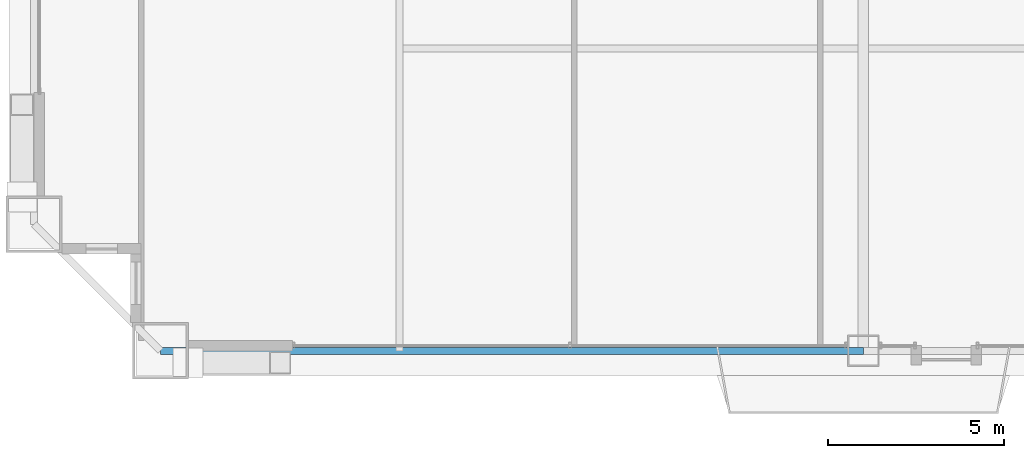
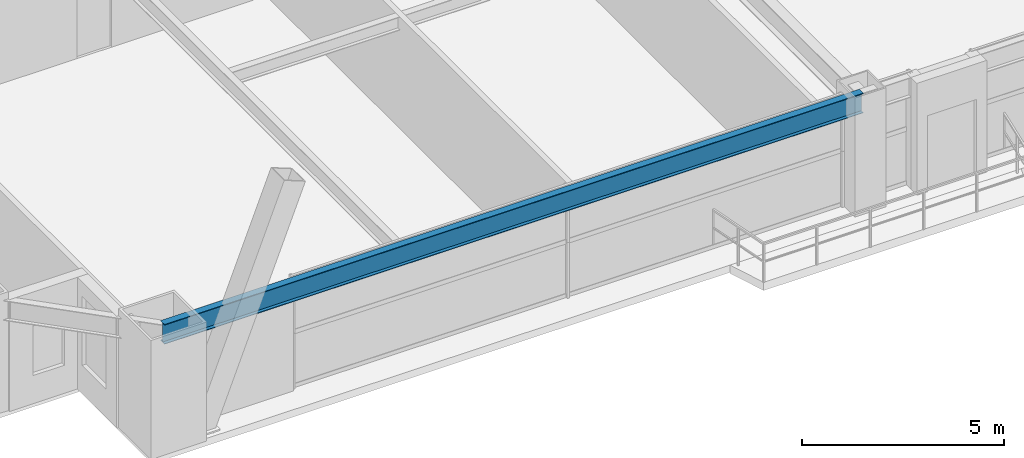
# One storey, part 4 of 41: 1 beam.
"""IFC4 building model written with IfcOpenShell, lengths in metres."""

from ifc_helpers import new_model, si_unit, direction, frame, origin, origin_2d, place, context, subcontext, project, spatial, i_section, extrude, source, transform, mapped, material, material_profile, profile_set, type_object, element, save


model = new_model("IFC4")

# Units and contexts
model_context = context("Model", 3, precision=1e-05, world=origin(), true_north=direction((0.0, 1.0)))
body_context = subcontext(model_context, "Body", "Model", "MODEL_VIEW")
ifc_project = project(units=[si_unit("LENGTHUNIT", "METRE"), si_unit("AREAUNIT", "SQUARE_METRE"), si_unit("VOLUMEUNIT", "CUBIC_METRE"), si_unit("PLANEANGLEUNIT", "RADIAN"), si_unit("MASSUNIT", "GRAM", prefix="KILO"), si_unit("THERMODYNAMICTEMPERATUREUNIT", "KELVIN"), si_unit("POWERUNIT", "WATT")], contexts=[model_context])

# Site, building, storey
site_placement = place(None, origin())
site = spatial("IfcSite", under=ifc_project, at=site_placement, CompositionType="ELEMENT")
building_placement = place(site_placement, origin())
building = spatial("IfcBuilding", under=site, at=building_placement, Name="Yuzanri Waterfront Tower", CompositionType="ELEMENT")
storey_placement = place(building_placement, frame((0.0, 0.0, 115.39990234375)))
storey = spatial("IfcBuildingStorey", under=building, at=storey_placement, Name="L30", CompositionType="ELEMENT", Elevation=115.39990234375)

# Beam
ifc_material = material(Name="Steel Q355B", Category="steel")
ifc_material_profile = material_profile(ifc_material, i_section(OverallWidth=0.199951171875, OverallDepth=0.60009765625, WebThickness=0.010986328125, FlangeThickness=0.01708984375, at=origin_2d()), Name="HN 600x200x11x17")
ifc_profile_set = profile_set([ifc_material_profile], Name="Steel Q355B")
beam_type = type_object("IfcBeamType", Name="Perimeter Spandrel Q355B HN 600x200", PredefinedType="SPANDREL", material=ifc_profile_set)
shared_shape = source(origin(), body_context, "Body", "SweptSolid", [
    extrude(i_section(OverallWidth=0.199951171875, OverallDepth=0.60009765625, WebThickness=0.010986328125, FlangeThickness=0.01708984375, at=origin_2d()), origin(), (0.0, 0.0, 1.0), 20.0),
])
beam_placement = place(storey_placement, frame((17.0, 2.199951171875, 3.080078125), z_axis=(1.0, 0.0, 0.0), x_axis=(0.0, 1.0, 0.0)))
element("IfcBeam", 1, at=beam_placement, inside=storey, type_object=beam_type, Name="L30 Perimeter Spandrel S1-S2", PredefinedType="SPANDREL", context=body_context, shape_type="MappedRepresentation", body=[
    mapped(shared_shape, transform((0.0, 0.0, 0.0), scale=1.0)),
])

save(model, "model.ifc")
